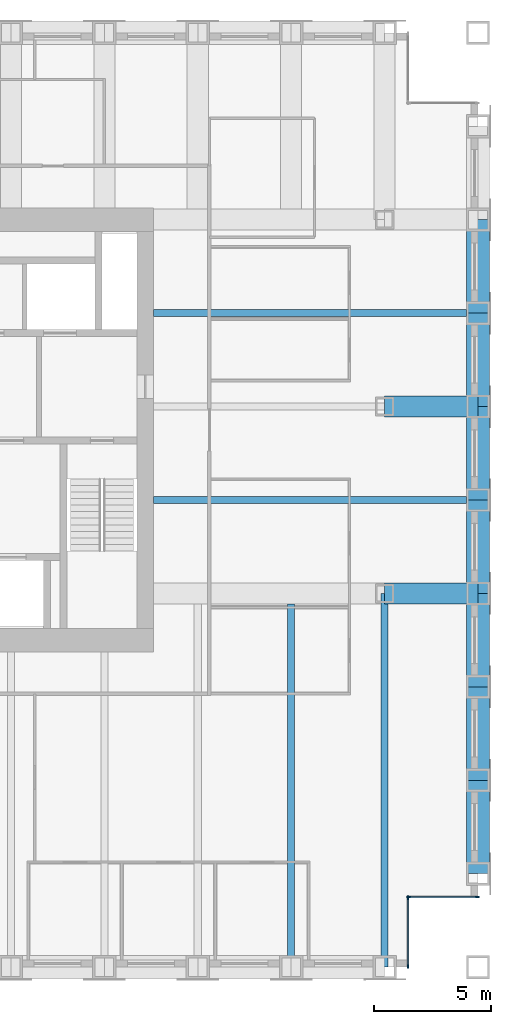
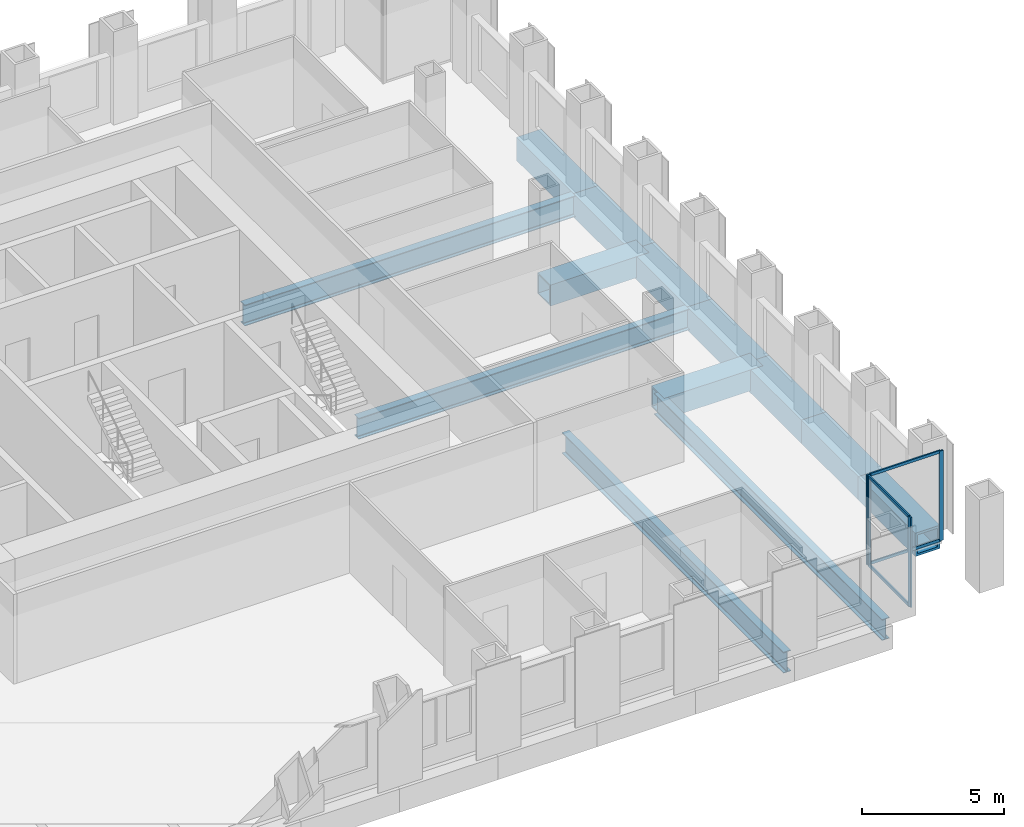
# One storey, part 4 of 11: 13 beams, 8 members, 2 elements without a shape of their own.
"""IFC4 building model written with IfcOpenShell, lengths in metres."""

import ifcopenshell
import ifcopenshell.guid

model = None  # the IFC model being written
_history = None  # IfcOwnerHistory: only IFC2X3 demands one
_inside = {}  # id of a spatial element -> (the spatial element, [elements in it])
_under = {}  # id of a project, library or spatial element -> (it, [spatial elements below it])
_declared = {}  # id of a project -> (the project, [libraries it declares])
_typed = {}  # id of a type object -> (the type object, [elements of that type])
_made_of = {}  # id of a material, layer set ... -> (it, [elements and type objects made of it])


def new_model(schema):
    """Start an empty IFC model of exactly this schema.

    Asked for "IFC4X3", IfcOpenShell would pick the latest addendum, in which some entities
    have other attributes; the version numbers below select the first issue.
    IFC2X3 requires an IfcOwnerHistory on every rooted entity: one is made here for all.
    """
    global model, _history
    if schema == "IFC4X3":
        model = ifcopenshell.file(schema_version=(4, 3, 0, 0))
    else:
        model = ifcopenshell.file(schema=schema)
    _inside.clear()
    _under.clear()
    _declared.clear()
    _typed.clear()
    _made_of.clear()
    _history = None
    if model.schema == "IFC2X3":
        org = make("IfcOrganization", Name="unknown")
        user = make(
            "IfcPersonAndOrganization",
            ThePerson=make("IfcPerson", FamilyName="unknown"),
            TheOrganization=org,
        )
        app = make(
            "IfcApplication",
            ApplicationDeveloper=org,
            Version="unknown",
            ApplicationFullName="unknown",
            ApplicationIdentifier="unknown",
        )
        _history = make(
            "IfcOwnerHistory",
            OwningUser=user,
            OwningApplication=app,
            ChangeAction="ADDED",
            CreationDate=0,
        )
    return model


def make(cls, **values):
    """One entity of the class cls with the attributes given. An attribute that is None is left unset."""
    return model.create_entity(
        cls, **{name: value for name, value in values.items() if value is not None}
    )


def rooted(cls, **values):
    """An entity with a GlobalId (a new one), such as an element, a storey or a relation."""
    return make(cls, GlobalId=ifcopenshell.guid.new(), OwnerHistory=_history, **values)


def si_unit(unit_type, name, prefix=None):
    """IfcSIUnit, for example si_unit("LENGTHUNIT", "METRE", prefix="MILLI")."""
    return make("IfcSIUnit", UnitType=unit_type, Prefix=prefix, Name=name)


def assignment(units):
    """IfcUnitAssignment: the units of a project."""
    return None if units is None else make("IfcUnitAssignment", Units=units)


def point(xyz):
    """IfcCartesianPoint."""
    return None if xyz is None else make("IfcCartesianPoint", Coordinates=xyz)


def direction(xyz):
    """IfcDirection."""
    return None if xyz is None else make("IfcDirection", DirectionRatios=xyz)


def frame(location, z_axis=None, x_axis=None):
    """IfcAxis2Placement3D, a coordinate frame: its origin and axes. An axis left out is left unset."""
    return make(
        "IfcAxis2Placement3D",
        Location=point(location),
        Axis=direction(z_axis),
        RefDirection=direction(x_axis),
    )


def frame_2d(location, x_axis=None):
    """IfcAxis2Placement2D, a coordinate frame in the plane: its origin and x axis."""
    return make(
        "IfcAxis2Placement2D", Location=point(location), RefDirection=direction(x_axis)
    )


def origin():
    """The frame at (0, 0, 0) with its axes left unset."""
    return frame((0.0, 0.0, 0.0))


def origin_2d():
    """The frame at (0, 0) in the plane with its x axis left unset."""
    return frame_2d((0.0, 0.0))


def place(relative_to, where):
    """IfcLocalPlacement: puts the frame where relative to a parent placement (None: the world)."""
    return make(
        "IfcLocalPlacement", PlacementRelTo=relative_to, RelativePlacement=where
    )


def context(
    kind, dimensions, precision=None, world=None, true_north=None, identifier=None
):
    """IfcGeometricRepresentationContext, for example the 3D "Model" context."""
    return make(
        "IfcGeometricRepresentationContext",
        ContextIdentifier=identifier,
        ContextType=kind,
        CoordinateSpaceDimension=dimensions,
        Precision=precision,
        WorldCoordinateSystem=world,
        TrueNorth=true_north,
    )


def subcontext(parent, identifier, kind, view, scale=None):
    """IfcGeometricRepresentationSubContext, for example "Body" below "Model"."""
    return make(
        "IfcGeometricRepresentationSubContext",
        ContextIdentifier=identifier,
        ContextType=kind,
        ParentContext=parent,
        TargetScale=scale,
        TargetView=view,
    )


def project(units=None, contexts=None):
    """IfcProject with its units and contexts."""
    return rooted(
        "IfcProject",
        Name="project",
        RepresentationContexts=contexts,
        UnitsInContext=assignment(units),
    )


def spatial(cls, under=None, at=None, **own):
    """A site, building, storey or space (cls), placed at a placement, below another one or the project."""
    s = rooted(cls, ObjectPlacement=at, **own)
    if under is not None:
        _under.setdefault(under.id(), (under, []))[1].append(s)
    return s


def profile(cls, at=None, kind="AREA", **sizes):
    """A parametric profile (cls). Its sizes go by their IFC names, for example OverallWidth=200.0."""
    return make(cls, ProfileType=kind, Position=at, **sizes)


def rectangle(**sizes):
    """IfcRectangleProfileDef."""
    return profile("IfcRectangleProfileDef", **sizes)


def hollow_rectangle(**sizes):
    """IfcRectangleHollowProfileDef."""
    return profile("IfcRectangleHollowProfileDef", **sizes)


def i_section(**sizes):
    """IfcIShapeProfileDef."""
    return profile("IfcIShapeProfileDef", **sizes)


def extrude(swept, where, along, depth):
    """IfcExtrudedAreaSolid: the profile swept, set in the frame where, extruded along a direction by depth."""
    return make(
        "IfcExtrudedAreaSolid",
        SweptArea=swept,
        Position=where,
        ExtrudedDirection=direction(along),
        Depth=depth,
    )


def shape(context_of_items, identifier, shape_type, items):
    """IfcShapeRepresentation: the items that make up one representation, for example the "Body"."""
    return make(
        "IfcShapeRepresentation",
        ContextOfItems=context_of_items,
        RepresentationIdentifier=identifier,
        RepresentationType=shape_type,
        Items=items,
    )


def material(Name=None, Category=None):
    """IfcMaterial."""
    return make("IfcMaterial", Name=Name, Category=Category)


def material_profile(
    of_material, cross_section, Name=None, Category=None, Priority=None
):
    """IfcMaterialProfile: a cross section and its material."""
    return make(
        "IfcMaterialProfile",
        Name=Name,
        Material=of_material,
        Profile=cross_section,
        Priority=Priority,
        Category=Category,
    )


def profile_set(profiles, Name=None, composite=None):
    """IfcMaterialProfileSet."""
    return make(
        "IfcMaterialProfileSet",
        Name=Name,
        MaterialProfiles=profiles,
        CompositeProfile=composite,
    )


def made_of(thing, what):
    """Note that an element or type object is made of a material, layer set ...; save() writes the relation."""
    if what is not None:
        _made_of.setdefault(what.id(), (what, []))[1].append(thing)
    return thing


def type_object(cls, material=None, **own):
    """A type object (cls), such as IfcWallType, which elements share."""
    return made_of(rooted(cls, **own), material)


def element(
    cls,
    number,
    at=None,
    inside=None,
    cuts=None,
    type_object=None,
    material=None,
    context=None,
    identifier="Body",
    shape_type=None,
    held_by="IfcProductDefinitionShape",
    body=None,
    shapes=None,
    **own,
):
    """One element of the class cls, such as IfcWall. Its Tag is "e" and its number.

    at: its placement. inside: the storey or other place that contains it. cuts: it is an
    opening in that element (IfcRelVoidsElement). A single representation is given by context,
    identifier, shape_type and body (its items); several are given by shapes. held_by: the class
    of the entity that holds the representations. save() writes the other relations.
    """
    e = rooted(cls, Tag="e%d" % number, ObjectPlacement=at, **own)
    if body is not None:
        shapes = [shape(context, identifier, shape_type, body)]
    if shapes is not None:
        e.Representation = make(held_by, Representations=shapes)
    if inside is not None:
        _inside.setdefault(inside.id(), (inside, []))[1].append(e)
    if cuts is not None:
        rooted(
            "IfcRelVoidsElement", RelatingBuildingElement=cuts, RelatedOpeningElement=e
        )
    if type_object is not None:
        _typed.setdefault(type_object.id(), (type_object, []))[1].append(e)
    return made_of(e, material)


def aggregate(whole, parts):
    """IfcRelAggregates: a whole, such as a stair, and the parts it consists of."""
    return rooted("IfcRelAggregates", RelatingObject=whole, RelatedObjects=parts)


def save(model, path):
    """Write the relations noted so far, then the file.

    IfcRelAggregates (storeys below a building ...), IfcRelContainedInSpatialStructure (elements
    in a storey), IfcRelDefinesByType, IfcRelAssociatesMaterial and IfcRelDeclares: one each for
    every whole, place, type object, material and project.
    """
    for whole, parts in _under.values():
        aggregate(whole, parts)
    for where, things in _inside.values():
        rooted(
            "IfcRelContainedInSpatialStructure",
            RelatedElements=things,
            RelatingStructure=where,
        )
    for kind, things in _typed.values():
        rooted("IfcRelDefinesByType", RelatedObjects=things, RelatingType=kind)
    for what, things in _made_of.values():
        rooted("IfcRelAssociatesMaterial", RelatedObjects=things, RelatingMaterial=what)
    for by, libraries in _declared.values():
        rooted("IfcRelDeclares", RelatingContext=by, RelatedDefinitions=libraries)
    model.write(path)


model = new_model("IFC4")

# Units and contexts
model_context = context("Model", 3, precision=1e-05, world=origin(), true_north=direction((0.0, 1.0)))
body_context = subcontext(model_context, "Body", "Model", "MODEL_VIEW")
ifc_project = project(units=[si_unit("LENGTHUNIT", "METRE"), si_unit("AREAUNIT", "SQUARE_METRE"), si_unit("VOLUMEUNIT", "CUBIC_METRE"), si_unit("PLANEANGLEUNIT", "RADIAN"), si_unit("MASSUNIT", "GRAM", prefix="KILO")], contexts=[model_context])

# Site, building, storey
site_placement = place(None, origin())
site = spatial("IfcSite", under=ifc_project, at=site_placement, CompositionType="ELEMENT")
building_placement = place(site_placement, origin())
building = spatial("IfcBuilding", under=site, at=building_placement, Name="Rimbunsela Tower", CompositionType="ELEMENT")
storey_placement = place(building_placement, frame((0.0, 0.0, 250.199951171875)))
storey = spatial("IfcBuildingStorey", under=building, at=storey_placement, Name="L60", CompositionType="ELEMENT", Elevation=250.199951171875)

# Beams
ifc_material_1 = material(Name="Steel BJ 55 (fy 410 MPa)", Category="steel")
ifc_material_profile_1 = material_profile(ifc_material_1, hollow_rectangle(XDim=1.0, YDim=1.0, WallThickness=0.10009765625, at=origin_2d()), Name="BOX 1000x1000x100")
ifc_profile_set_1 = profile_set([ifc_material_profile_1], Name="Steel BJ 55 (fy 410 MPa)")
beam_type_1 = type_object("IfcBeamType", Name="Beam BOX 1000x1000x100", PredefinedType="BEAM", material=ifc_profile_set_1)
for number, where, z_axis, x_axis, name in (
    (1, (50.0, 8.0, -0.64990234375), (0.0, 1.0, 0.0), (-1.0, 0.0, 0.0), "Beam B3 L60"),
    (2, (50.0, 12.0, -0.64990234375), (0.0, 1.0, 0.0), (-1.0, 0.0, 0.0), "Beam B3 L60"),
    (3, (50.0, 16.0, -0.64990234375), (0.0, 1.0, 0.0), (-1.0, 0.0, 0.0), "Beam B3 L60"),
    (4, (50.0, 20.0, -0.64990234375), (0.0, 1.0, 0.0), (-1.0, 0.0, 0.0), "Beam B3 L60"),
    (5, (50.0, 24.0, -0.64990234375), (0.0, 1.0, 0.0), (-1.0, 0.0, 0.0), "Beam B3 L60"),
    (6, (50.0, 28.0, -0.64990234375), (0.0, 1.0, 0.0), (-1.0, 0.0, 0.0), "Beam B3 L60"),
    (7, (50.0, 32.0, -0.64990234375), (0.0, 1.0, 0.0), (-1.0, 0.0, 0.0), "Beam B3 L60"),
):
    element("IfcBeam", number, at=place(storey_placement, frame(where, z_axis=z_axis, x_axis=x_axis)), inside=storey, type_object=beam_type_1, Name=name, PredefinedType="BEAM", context=body_context, shape_type="SweptSolid", body=[
        extrude(hollow_rectangle(XDim=1.0, YDim=1.0, WallThickness=0.10009765625, at=origin_2d()), origin(), (0.0, 0.0, 1.0), 4.0),
    ])
ifc_material_2 = material(Name="Steel BJ 55 (fy 410 MPa)", Category="steel")
ifc_material_profile_2 = material_profile(ifc_material_2, hollow_rectangle(XDim=0.89990234375, YDim=0.89990234375, WallThickness=0.06005859375, at=origin_2d()), Name="BOX 900x900x60")
ifc_profile_set_2 = profile_set([ifc_material_profile_2], Name="Steel BJ 55 (fy 410 MPa)")
beam_type_2 = type_object("IfcBeamType", Name="Beam BOX 900x900x60", PredefinedType="BEAM", material=ifc_profile_set_2)
for number, where, z_axis, x_axis, name in (
    (8, (46.0, 20.0, -0.599853515625), (1.0, 0.0, 0.0), (0.0, 1.0, 0.0), "Beam B1 L60"),
    (9, (46.0, 28.0, -0.599853515625), (1.0, 0.0, 0.0), (0.0, 1.0, 0.0), "Beam B1 L60"),
):
    element("IfcBeam", number, at=place(storey_placement, frame(where, z_axis=z_axis, x_axis=x_axis)), inside=storey, type_object=beam_type_2, Name=name, PredefinedType="BEAM", context=body_context, shape_type="SweptSolid", body=[
        extrude(hollow_rectangle(XDim=0.89990234375, YDim=0.89990234375, WallThickness=0.06005859375, at=origin_2d()), origin(), (0.0, 0.0, 1.0), 4.0),
    ])
ifc_material_3 = material(Name="Steel BJ 55 (fy 410 MPa)", Category="steel")
ifc_material_profile_3 = material_profile(ifc_material_3, i_section(OverallWidth=0.300048828125, OverallDepth=0.89990234375, WebThickness=0.01611328125, FlangeThickness=0.028076171875, FilletRadius=0.028076171875, at=origin_2d()), Name="H 900x300x16x28")
ifc_profile_set_3 = profile_set([ifc_material_profile_3], Name="Steel BJ 55 (fy 410 MPa)")
beam_type_3 = type_object("IfcBeamType", Name="Beam H 900x300x16x28", PredefinedType="BEAM", material=ifc_profile_set_3)
for number, where, z_axis, x_axis, name in (
    (10, (36.10009765625, 24.0, -0.599853515625), (1.0, 0.0, 0.0), (0.0, 1.0, 0.0), "Beam B2 L60"),
    (11, (36.10009765625, 32.0, -0.599853515625), (1.0, 0.0, 0.0), (0.0, 1.0, 0.0), "Beam B2 L60"),
):
    element("IfcBeam", number, at=place(storey_placement, frame(where, z_axis=z_axis, x_axis=x_axis)), inside=storey, type_object=beam_type_3, Name=name, PredefinedType="BEAM", context=body_context, shape_type="SweptSolid", body=[
        extrude(i_section(OverallWidth=0.300048828125, OverallDepth=0.89990234375, WebThickness=0.01611328125, FlangeThickness=0.028076171875, FilletRadius=0.028076171875, at=origin_2d()), origin(), (0.0, 0.0, 1.0), 13.89990234375),
    ])
beam_1_placement = place(storey_placement, frame((42.0, 4.0, -0.599853515625), z_axis=(0.0, 1.0, 0.0), x_axis=(-1.0, 0.0, 0.0)))
element("IfcBeam", 12, at=beam_1_placement, inside=storey, type_object=beam_type_3, Name="Beam B2 L60", PredefinedType="BEAM", context=body_context, shape_type="SweptSolid", body=[
    extrude(i_section(OverallWidth=0.300048828125, OverallDepth=0.89990234375, WebThickness=0.01611328125, FlangeThickness=0.028076171875, FilletRadius=0.028076171875, at=origin_2d()), origin(), (0.0, 0.0, 1.0), 15.550048828125),
])
beam_2_placement = place(storey_placement, frame((46.0, 4.0, -0.599853515625), z_axis=(0.0, 1.0, 0.0), x_axis=(-1.0, 0.0, 0.0)))
element("IfcBeam", 13, at=beam_2_placement, inside=storey, type_object=beam_type_3, Name="Beam B2 L60", PredefinedType="BEAM", context=body_context, shape_type="SweptSolid", body=[
    extrude(i_section(OverallWidth=0.300048828125, OverallDepth=0.89990234375, WebThickness=0.01611328125, FlangeThickness=0.028076171875, FilletRadius=0.028076171875, at=origin_2d()), origin(), (0.0, 0.0, 1.0), 16.0),
])

# Curtain wall, members
ifc_material_4 = material(Name="Aluminium curtain wall", Category="aluminium")
curtain_wall_type = type_object("IfcCurtainWallType", Name="Corner glazing", PredefinedType="USERDEFINED", material=ifc_material_4)
curtain_wall_1_placement = place(storey_placement, origin())
curtain_wall_1 = element("IfcCurtainWall", 14, at=curtain_wall_1_placement, inside=storey, type_object=curtain_wall_type, Name="Corner glazing L60", ObjectType="CORNER GLAZING", PredefinedType="USERDEFINED")
ifc_material_5 = material(Name="Aluminium mullion", Category="aluminium")
ifc_material_profile_4 = material_profile(ifc_material_5, rectangle(XDim=0.06005859375, YDim=0.159912109375, at=origin_2d()), Name="Mullion 60x160")
ifc_profile_set_4 = profile_set([ifc_material_profile_4], Name="Aluminium mullion")
member_type_1 = type_object("IfcMemberType", Name="Curtain wall mullion 60x160", PredefinedType="MULLION", material=ifc_profile_set_4)
member_1_placement = place(storey_placement, frame((47.0, 4.030029296875, 0.0), z_axis=(0.0, 0.0, 1.0), x_axis=(-1.0, 0.0, 0.0)))
member_1 = element("IfcMember", 15, at=member_1_placement, type_object=member_type_1, Name="CW5 mullion 1", PredefinedType="MULLION", context=body_context, shape_type="SweptSolid", body=[
    extrude(rectangle(XDim=0.06005859375, YDim=0.159912109375, at=origin_2d()), origin(), (0.0, 0.0, 1.0), 3.85009765625),
])
member_2_placement = place(storey_placement, frame((47.0, 6.969970703125, 0.0), z_axis=(0.0, 0.0, 1.0), x_axis=(-1.0, 0.0, 0.0)))
member_2 = element("IfcMember", 16, at=member_2_placement, type_object=member_type_1, Name="CW5 mullion 2", PredefinedType="MULLION", context=body_context, shape_type="SweptSolid", body=[
    extrude(rectangle(XDim=0.06005859375, YDim=0.159912109375, at=origin_2d()), origin(), (0.0, 0.0, 1.0), 3.85009765625),
])

curtain_wall_2_placement = place(storey_placement, origin())
curtain_wall_2 = element("IfcCurtainWall", 17, at=curtain_wall_2_placement, inside=storey, type_object=curtain_wall_type, Name="Corner glazing L60", ObjectType="CORNER GLAZING", PredefinedType="USERDEFINED")
member_3_placement = place(storey_placement, frame((47.030029296875, 7.0, 0.0), z_axis=(0.0, 0.0, 1.0), x_axis=(0.0, 1.0, 0.0)))
member_3 = element("IfcMember", 18, at=member_3_placement, type_object=member_type_1, Name="CW5 mullion 1", PredefinedType="MULLION", context=body_context, shape_type="SweptSolid", body=[
    extrude(rectangle(XDim=0.06005859375, YDim=0.159912109375, at=origin_2d()), origin(), (0.0, 0.0, 1.0), 3.85009765625),
])
member_4_placement = place(storey_placement, frame((49.969970703125, 7.0, 0.0), z_axis=(0.0, 0.0, 1.0), x_axis=(0.0, 1.0, 0.0)))
member_4 = element("IfcMember", 19, at=member_4_placement, type_object=member_type_1, Name="CW5 mullion 2", PredefinedType="MULLION", context=body_context, shape_type="SweptSolid", body=[
    extrude(rectangle(XDim=0.06005859375, YDim=0.159912109375, at=origin_2d()), origin(), (0.0, 0.0, 1.0), 3.85009765625),
])

# Member
ifc_material_6 = material(Name="Aluminium transom", Category="aluminium")
ifc_material_profile_5 = material_profile(ifc_material_6, rectangle(XDim=0.06005859375, YDim=0.1201171875, at=origin_2d()), Name="Transom 60x120")
ifc_profile_set_5 = profile_set([ifc_material_profile_5], Name="Aluminium transom")
member_type_2 = type_object("IfcMemberType", Name="Curtain wall transom 60x120", PredefinedType="USERDEFINED", material=ifc_profile_set_5)
member_5_placement = place(storey_placement, frame((47.0, 4.06005859375, 0.030029296875), z_axis=(0.0, 1.0, 0.0), x_axis=(-1.0, 0.0, 0.0)))
member_5 = element("IfcMember", 20, at=member_5_placement, type_object=member_type_2, Name="CW5 transom 1.1", ObjectType="TRANSOM", PredefinedType="USERDEFINED", context=body_context, shape_type="SweptSolid", body=[
    extrude(rectangle(XDim=0.06005859375, YDim=0.1201171875, at=origin_2d()), origin(), (0.0, 0.0, 1.0), 2.8798828125),
])

member_6_placement = place(storey_placement, frame((47.0, 4.06005859375, 3.820068359375), z_axis=(0.0, 1.0, 0.0), x_axis=(-1.0, 0.0, 0.0)))
member_6 = element("IfcMember", 21, at=member_6_placement, type_object=member_type_2, Name="CW5 transom 1.2", ObjectType="TRANSOM", PredefinedType="USERDEFINED", context=body_context, shape_type="SweptSolid", body=[
    extrude(rectangle(XDim=0.06005859375, YDim=0.1201171875, at=origin_2d()), origin(), (0.0, 0.0, 1.0), 2.8798828125),
])

aggregate(curtain_wall_1, [member_1, member_2, member_5, member_6])

member_7_placement = place(storey_placement, frame((47.06005859375, 7.0, 0.030029296875), z_axis=(1.0, 0.0, 0.0), x_axis=(0.0, 1.0, 0.0)))
member_7 = element("IfcMember", 22, at=member_7_placement, type_object=member_type_2, Name="CW5 transom 1.1", ObjectType="TRANSOM", PredefinedType="USERDEFINED", context=body_context, shape_type="SweptSolid", body=[
    extrude(rectangle(XDim=0.06005859375, YDim=0.1201171875, at=origin_2d()), origin(), (0.0, 0.0, 1.0), 2.8798828125),
])

member_8_placement = place(storey_placement, frame((47.06005859375, 7.0, 3.820068359375), z_axis=(1.0, 0.0, 0.0), x_axis=(0.0, 1.0, 0.0)))
member_8 = element("IfcMember", 23, at=member_8_placement, type_object=member_type_2, Name="CW5 transom 1.2", ObjectType="TRANSOM", PredefinedType="USERDEFINED", context=body_context, shape_type="SweptSolid", body=[
    extrude(rectangle(XDim=0.06005859375, YDim=0.1201171875, at=origin_2d()), origin(), (0.0, 0.0, 1.0), 2.8798828125),
])

aggregate(curtain_wall_2, [member_3, member_4, member_7, member_8])

save(model, "model.ifc")
